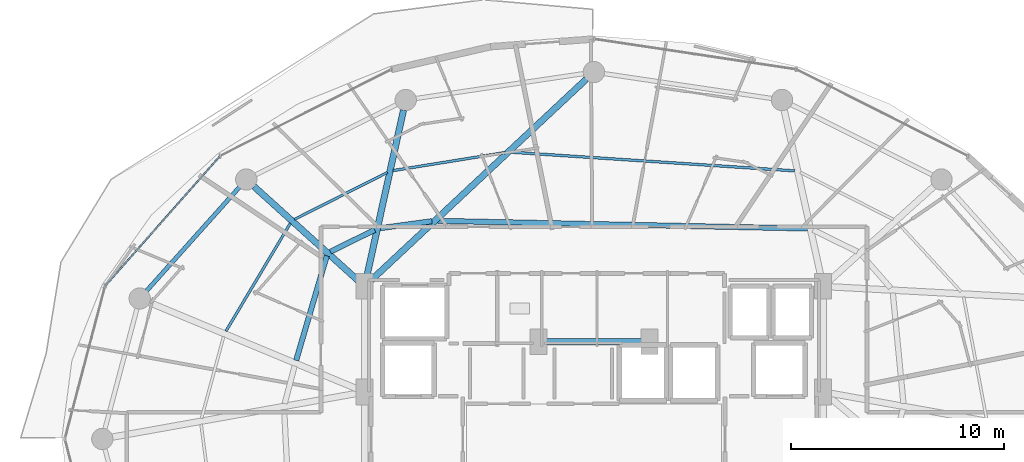
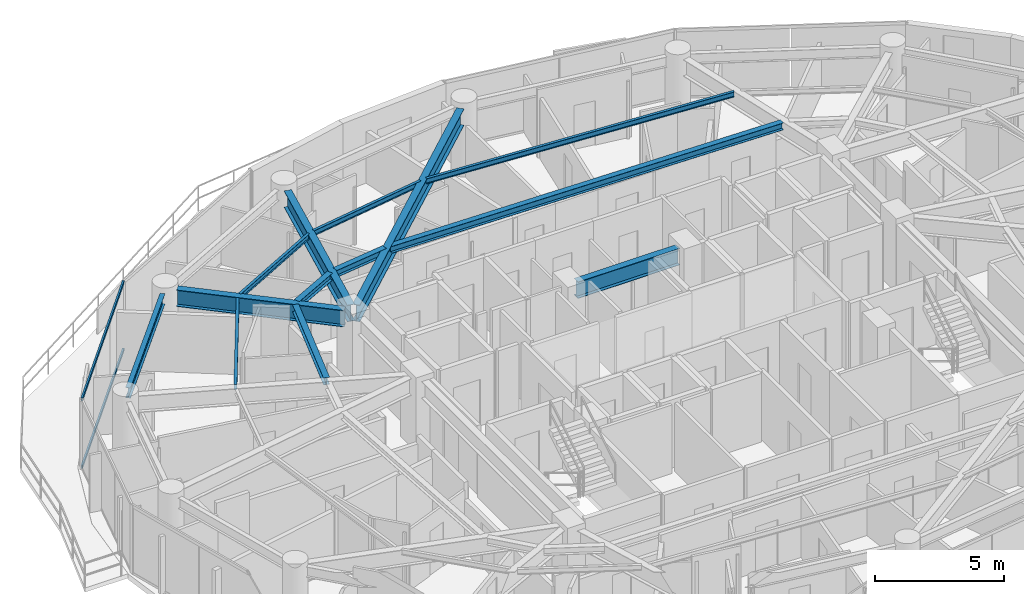
# One storey, part 10 of 30: 13 beams, 2 members, 1 element without a shape of its own.
"""IFC4 building model written with IfcOpenShell, lengths in metres."""

from ifc_helpers import new_model, si_unit, direction, frame, origin, origin_2d, place, context, subcontext, project, spatial, hollow_rectangle, i_section, extrude, material, material_profile, profile_set, type_object, element, aggregate, save


model = new_model("IFC4")

# Units and contexts
model_context = context("Model", 3, precision=1e-05, world=origin(), true_north=direction((0.0, 1.0)))
body_context = subcontext(model_context, "Body", "Model", "MODEL_VIEW")
ifc_project = project(units=[si_unit("LENGTHUNIT", "METRE"), si_unit("AREAUNIT", "SQUARE_METRE"), si_unit("VOLUMEUNIT", "CUBIC_METRE"), si_unit("PLANEANGLEUNIT", "RADIAN"), si_unit("MASSUNIT", "GRAM", prefix="KILO")], contexts=[model_context])

# Site, building, storey
site_placement = place(None, origin())
site = spatial("IfcSite", under=ifc_project, at=site_placement, CompositionType="ELEMENT")
building_placement = place(site_placement, origin())
building = spatial("IfcBuilding", under=site, at=building_placement, Name="Vorneva Point Tower", CompositionType="ELEMENT")
storey_placement = place(building_placement, frame((0.0, 0.0, 157.10009765625)))
storey = spatial("IfcBuildingStorey", under=building, at=storey_placement, Name="L42", CompositionType="ELEMENT", Elevation=157.10009765625)

# Beams
ifc_material_1 = material(Name="Steel S355", Category="steel")
ifc_material_profile_1 = material_profile(ifc_material_1, i_section(OverallWidth=0.300048828125, OverallDepth=0.7880859375, WebThickness=0.014404296875, FlangeThickness=0.02197265625, at=origin_2d()), Name="80Sh1")
ifc_profile_set_1 = profile_set([ifc_material_profile_1], Name="Steel S355")
beam_type_1 = type_object("IfcBeamType", Name="BM-GRD-80Sh1", PredefinedType="USERDEFINED", material=ifc_profile_set_1)
beam_1_placement = place(storey_placement, frame((37.6435546875, 42.86669921875, 2.845947265625), z_axis=(-0.730490907119, -0.682922422107, 0.0), x_axis=(0.682922422107, -0.730490907119, 0.0)))
element("IfcBeam", 1, at=beam_1_placement, inside=storey, type_object=beam_type_1, Name="L42 Radial Primary Girder 05", ObjectType="GIRDER", PredefinedType="USERDEFINED", context=body_context, shape_type="SweptSolid", body=[
    extrude(i_section(OverallWidth=0.300048828125, OverallDepth=0.7880859375, WebThickness=0.014404296875, FlangeThickness=0.02197265625, at=origin_2d()), origin(), (0.0, 0.0, 1.0), 13.88818359375),
])
beam_2_placement = place(storey_placement, frame((29.073974609375, 41.414306640625, 2.845947265625), z_axis=(-0.215520500859, -0.976499315775, 0.0), x_axis=(0.976499315775, -0.215520500859, 0.0)))
element("IfcBeam", 2, at=beam_2_placement, inside=storey, type_object=beam_type_1, Name="L42 Radial Primary Girder 06", ObjectType="GIRDER", PredefinedType="USERDEFINED", context=body_context, shape_type="SweptSolid", body=[
    extrude(i_section(OverallWidth=0.300048828125, OverallDepth=0.7880859375, WebThickness=0.014404296875, FlangeThickness=0.02197265625, at=origin_2d()), origin(), (0.0, 0.0, 1.0), 8.123291015625),
])
beam_3_placement = place(storey_placement, frame((22.063232421875, 37.835205078125, 2.845947265625), z_axis=(0.742084379637, -0.670306477292, 0.0), x_axis=(0.670306477292, 0.742084379637, 0.0)))
element("IfcBeam", 3, at=beam_3_placement, inside=storey, type_object=beam_type_1, Name="L42 Radial Primary Girder 07", ObjectType="GIRDER", PredefinedType="USERDEFINED", context=body_context, shape_type="SweptSolid", body=[
    extrude(i_section(OverallWidth=0.300048828125, OverallDepth=0.7880859375, WebThickness=0.014404296875, FlangeThickness=0.02197265625, at=origin_2d()), origin(), (0.0, 0.0, 1.0), 6.649658203125),
])
beam_4_placement = place(storey_placement, frame((35.719970703125, 30.550048828125, 2.845947265625), z_axis=(1.0, 0.0, 0.0), x_axis=(0.0, 1.0, 0.0)))
element("IfcBeam", 4, at=beam_4_placement, inside=storey, type_object=beam_type_1, Name="L42 Core Tie Girder CT8", ObjectType="GIRDER", PredefinedType="USERDEFINED", context=body_context, shape_type="SweptSolid", body=[
    extrude(i_section(OverallWidth=0.300048828125, OverallDepth=0.7880859375, WebThickness=0.014404296875, FlangeThickness=0.02197265625, at=origin_2d()), origin(), (0.0, 0.0, 1.0), 4.56005859375),
])
ifc_material_profile_2 = material_profile(ifc_material_1, i_section(OverallWidth=0.1240234375, OverallDepth=0.248046875, WebThickness=0.0048828125, FlangeThickness=0.008056640625, at=origin_2d()), Name="25B1")
ifc_profile_set_2 = profile_set([ifc_material_profile_2], Name="Steel S355")
beam_type_2 = type_object("IfcBeamType", Name="BM-JST-25B1", PredefinedType="JOIST", material=ifc_profile_set_2)
beam_5_placement = place(storey_placement, frame((47.418701171875, 38.567626953125, 3.115966796875), z_axis=(-0.997837165049, 0.065734253217, 0.0), x_axis=(-0.065734253217, -0.997837165049, 0.0)))
element("IfcBeam", 5, at=beam_5_placement, inside=storey, type_object=beam_type_2, Name="L42 Secondary Floor Beam 1.04", PredefinedType="JOIST", context=body_context, shape_type="SweptSolid", body=[
    extrude(i_section(OverallWidth=0.1240234375, OverallDepth=0.248046875, WebThickness=0.0048828125, FlangeThickness=0.008056640625, at=origin_2d()), origin(), (0.0, 0.0, 1.0), 13.318603515625),
])
beam_6_placement = place(storey_placement, frame((33.85498046875, 39.430419921875, 3.115966796875), z_axis=(-0.987269836001, -0.159054301806, 0.0), x_axis=(0.159054301806, -0.987269836001, 0.0)))
element("IfcBeam", 6, at=beam_6_placement, inside=storey, type_object=beam_type_2, Name="L42 Secondary Floor Beam 1.05", PredefinedType="JOIST", context=body_context, shape_type="SweptSolid", body=[
    extrude(i_section(OverallWidth=0.1240234375, OverallDepth=0.248046875, WebThickness=0.0048828125, FlangeThickness=0.008056640625, at=origin_2d()), origin(), (0.0, 0.0, 1.0), 5.34326171875),
])
beam_7_placement = place(storey_placement, frame((28.320556640625, 38.496337890625, 3.115966796875), z_axis=(-0.892388118376, -0.451268707292, 0.0), x_axis=(0.451268707292, -0.892388118376, 0.0)))
element("IfcBeam", 7, at=beam_7_placement, inside=storey, type_object=beam_type_2, Name="L42 Secondary Floor Beam 1.06", PredefinedType="JOIST", context=body_context, shape_type="SweptSolid", body=[
    extrude(i_section(OverallWidth=0.1240234375, OverallDepth=0.248046875, WebThickness=0.0048828125, FlangeThickness=0.008056640625, at=origin_2d()), origin(), (0.0, 0.0, 1.0), 4.883056640625),
])
beam_8_placement = place(storey_placement, frame((23.768798828125, 36.112060546875, 3.115966796875), z_axis=(-0.512582119722, -0.858638207012, 0.0), x_axis=(0.858638207012, -0.512582119722, 0.0)))
element("IfcBeam", 8, at=beam_8_placement, inside=storey, type_object=beam_type_2, Name="L42 Secondary Floor Beam 1.07", PredefinedType="JOIST", context=body_context, shape_type="SweptSolid", body=[
    extrude(i_section(OverallWidth=0.1240234375, OverallDepth=0.248046875, WebThickness=0.0048828125, FlangeThickness=0.008056640625, at=origin_2d()), origin(), (0.0, 0.0, 1.0), 5.89501953125),
])
ifc_material_profile_3 = material_profile(ifc_material_1, i_section(OverallWidth=0.2490234375, OverallDepth=0.333984375, WebThickness=0.008056640625, FlangeThickness=0.010986328125, at=origin_2d()), Name="35Sh1")
ifc_profile_set_3 = profile_set([ifc_material_profile_3], Name="Steel S355")
beam_type_3 = type_object("IfcBeamType", Name="BM-SEC-35Sh1", PredefinedType="BEAM", material=ifc_profile_set_3)
beam_9_placement = place(storey_placement, frame((48.013427734375, 35.864501953125, 3.072998046875), z_axis=(-0.999784264677, 0.020770751154, 0.0), x_axis=(-0.020770751154, -0.999784264677, 0.0)))
element("IfcBeam", 9, at=beam_9_placement, inside=storey, type_object=beam_type_3, Name="L42 Secondary Floor Beam 2.04", PredefinedType="BEAM", context=body_context, shape_type="SweptSolid", body=[
    extrude(i_section(OverallWidth=0.2490234375, OverallDepth=0.333984375, WebThickness=0.008056640625, FlangeThickness=0.010986328125, at=origin_2d()), origin(), (0.0, 0.0, 1.0), 17.337158203125),
])
beam_10_placement = place(storey_placement, frame((30.4052734375, 36.208984375, 3.072998046875), z_axis=(-0.990893925695, -0.13464482174, 0.0), x_axis=(0.13464482174, -0.990893925695, 0.0)))
element("IfcBeam", 10, at=beam_10_placement, inside=storey, type_object=beam_type_3, Name="L42 Secondary Floor Beam 2.05", PredefinedType="BEAM", context=body_context, shape_type="SweptSolid", body=[
    extrude(i_section(OverallWidth=0.2490234375, OverallDepth=0.333984375, WebThickness=0.008056640625, FlangeThickness=0.010986328125, at=origin_2d()), origin(), (0.0, 0.0, 1.0), 2.4423828125),
])
beam_11_placement = place(storey_placement, frame((27.724609375, 35.80078125, 3.072998046875), z_axis=(-0.897310370884, -0.441400156664, 0.0), x_axis=(0.441400156664, -0.897310370884, 0.0)))
element("IfcBeam", 11, at=beam_11_placement, inside=storey, type_object=beam_type_3, Name="L42 Secondary Floor Beam 2.06", PredefinedType="BEAM", context=body_context, shape_type="SweptSolid", body=[
    extrude(i_section(OverallWidth=0.2490234375, OverallDepth=0.333984375, WebThickness=0.008056640625, FlangeThickness=0.010986328125, at=origin_2d()), origin(), (0.0, 0.0, 1.0), 2.322021484375),
])
beam_12_placement = place(storey_placement, frame((25.478515625, 34.58251953125, 3.072998046875), z_axis=(-0.28157099182, -0.95954039861, 0.0), x_axis=(0.95954039861, -0.28157099182, 0.0)))
element("IfcBeam", 12, at=beam_12_placement, inside=storey, type_object=beam_type_3, Name="L42 Secondary Floor Beam 2.07", PredefinedType="BEAM", context=body_context, shape_type="SweptSolid", body=[
    extrude(i_section(OverallWidth=0.2490234375, OverallDepth=0.333984375, WebThickness=0.008056640625, FlangeThickness=0.010986328125, at=origin_2d()), origin(), (0.0, 0.0, 1.0), 5.10693359375),
])
ifc_material_profile_4 = material_profile(ifc_material_1, i_section(OverallWidth=0.199951171875, OverallDepth=0.491943359375, WebThickness=0.0087890625, FlangeThickness=0.011962890625, at=origin_2d()), Name="50B1")
ifc_profile_set_4 = profile_set([ifc_material_profile_4], Name="Steel S355")
beam_type_4 = type_object("IfcBeamType", Name="BM-SPN-50B1", PredefinedType="SPANDREL", material=ifc_profile_set_4)
beam_13_placement = place(storey_placement, frame((21.377685546875, 37.80078125, 2.993896484375), z_axis=(-0.667111118975, -0.74495822362, 0.0), x_axis=(0.74495822362, -0.667111118975, 0.0)))
element("IfcBeam", 13, at=beam_13_placement, inside=storey, type_object=beam_type_4, Name="L42 Perimeter Spandrel Ring Beam 07", PredefinedType="SPANDREL", context=body_context, shape_type="SweptSolid", body=[
    extrude(i_section(OverallWidth=0.199951171875, OverallDepth=0.491943359375, WebThickness=0.0087890625, FlangeThickness=0.011962890625, at=origin_2d()), origin(), (0.0, 0.0, 1.0), 6.52001953125),
])

# Curtain wall, members
ifc_material_2 = material(Name="Pale anodised aluminium", Category="aluminium")
curtain_wall_type = type_object("IfcCurtainWallType", Name="CW-RES-SYS", PredefinedType="NOTDEFINED", material=ifc_material_2)
curtain_wall_placement = place(storey_placement, origin())
curtain_wall = element("IfcCurtainWall", 14, at=curtain_wall_placement, inside=storey, type_object=curtain_wall_type, Name="L42 Unitised Curtain Wall CW-L42-R03", PredefinedType="NOTDEFINED")
ifc_material_profile_5 = material_profile(ifc_material_2, hollow_rectangle(XDim=0.074951171875, YDim=0.14990234375, WallThickness=0.00390625, at=origin_2d()), Name="AL-TRN 150x75x4")
ifc_profile_set_5 = profile_set([ifc_material_profile_5], Name="Pale anodised aluminium")
member_type = type_object("IfcMemberType", Name="CW-TRN-150", PredefinedType="USERDEFINED", material=ifc_profile_set_5)
member_1_placement = place(storey_placement, frame((20.4638671875, 39.25830078125, 0.02001953125), z_axis=(-0.662218216609, -0.749311039283, 0.0), x_axis=(0.749311039283, -0.662218216609, 0.0)))
member_1 = element("IfcMember", 15, at=member_1_placement, type_object=member_type, Name="CW-L42-R03 Transom 02.1", ObjectType="TRANSOM", PredefinedType="USERDEFINED", context=body_context, shape_type="SweptSolid", body=[
    extrude(hollow_rectangle(XDim=0.074951171875, YDim=0.14990234375, WallThickness=0.00390625, at=origin_2d()), origin(), (0.0, 0.0, 1.0), 8.1181640625),
])
member_2_placement = place(storey_placement, frame((20.4638671875, 39.25830078125, 3.219970703125), z_axis=(-0.662218216609, -0.749311039283, 0.0), x_axis=(0.749311039283, -0.662218216609, 0.0)))
member_2 = element("IfcMember", 16, at=member_2_placement, type_object=member_type, Name="CW-L42-R03 Transom 02.2", ObjectType="TRANSOM", PredefinedType="USERDEFINED", context=body_context, shape_type="SweptSolid", body=[
    extrude(hollow_rectangle(XDim=0.074951171875, YDim=0.14990234375, WallThickness=0.00390625, at=origin_2d()), origin(), (0.0, 0.0, 1.0), 8.1181640625),
])
aggregate(curtain_wall, [member_1, member_2])

save(model, "model.ifc")
